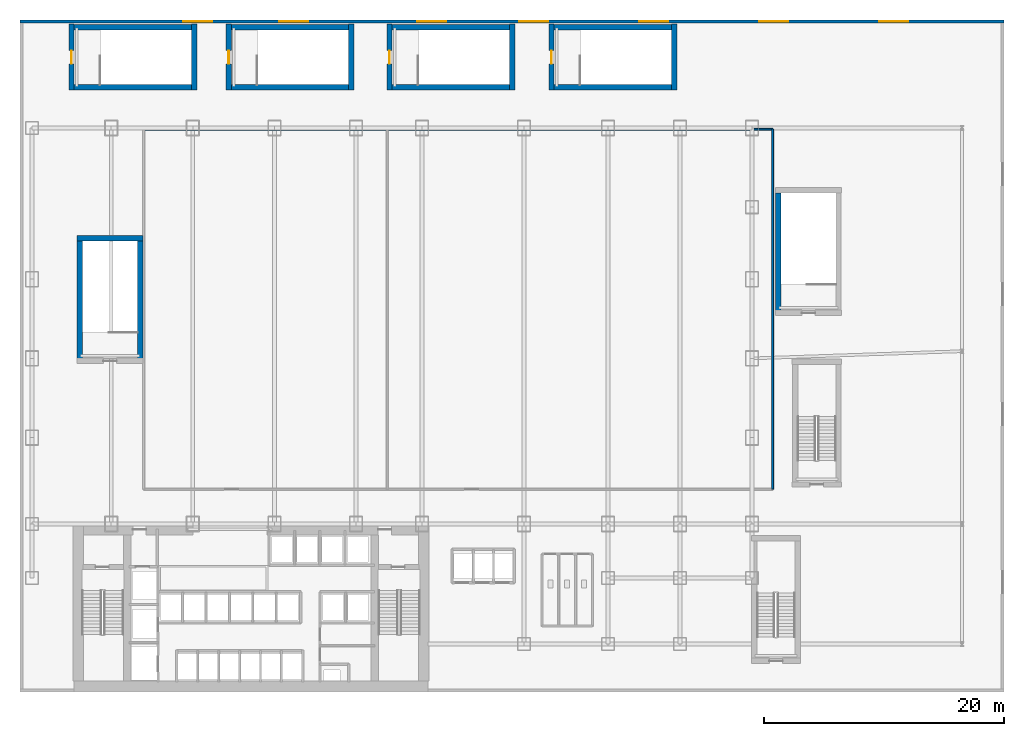
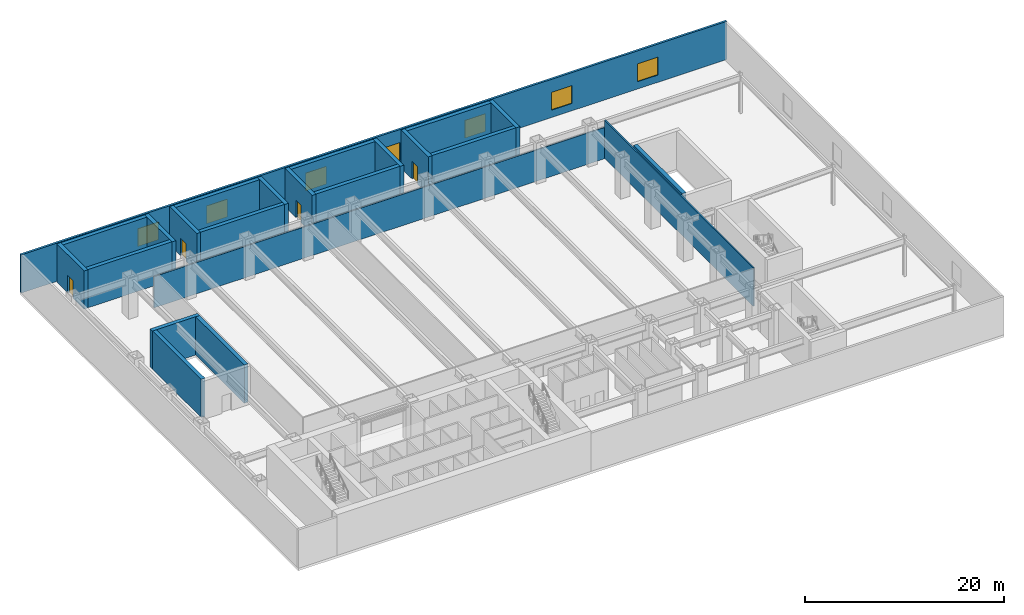
# One storey, part 8 of 14: 23 walls, 7 windows, 4 doors, 11 openings.
"""IFC4 building model written with IfcOpenShell, lengths in metres."""

import ifcopenshell
import ifcopenshell.guid

model = None  # the IFC model being written
_history = None  # IfcOwnerHistory: only IFC2X3 demands one
_inside = {}  # id of a spatial element -> (the spatial element, [elements in it])
_under = {}  # id of a project, library or spatial element -> (it, [spatial elements below it])
_declared = {}  # id of a project -> (the project, [libraries it declares])
_typed = {}  # id of a type object -> (the type object, [elements of that type])
_made_of = {}  # id of a material, layer set ... -> (it, [elements and type objects made of it])


def new_model(schema):
    """Start an empty IFC model of exactly this schema.

    Asked for "IFC4X3", IfcOpenShell would pick the latest addendum, in which some entities
    have other attributes; the version numbers below select the first issue.
    IFC2X3 requires an IfcOwnerHistory on every rooted entity: one is made here for all.
    """
    global model, _history
    if schema == "IFC4X3":
        model = ifcopenshell.file(schema_version=(4, 3, 0, 0))
    else:
        model = ifcopenshell.file(schema=schema)
    _inside.clear()
    _under.clear()
    _declared.clear()
    _typed.clear()
    _made_of.clear()
    _history = None
    if model.schema == "IFC2X3":
        org = make("IfcOrganization", Name="unknown")
        user = make(
            "IfcPersonAndOrganization",
            ThePerson=make("IfcPerson", FamilyName="unknown"),
            TheOrganization=org,
        )
        app = make(
            "IfcApplication",
            ApplicationDeveloper=org,
            Version="unknown",
            ApplicationFullName="unknown",
            ApplicationIdentifier="unknown",
        )
        _history = make(
            "IfcOwnerHistory",
            OwningUser=user,
            OwningApplication=app,
            ChangeAction="ADDED",
            CreationDate=0,
        )
    return model


def make(cls, **values):
    """One entity of the class cls with the attributes given. An attribute that is None is left unset."""
    return model.create_entity(
        cls, **{name: value for name, value in values.items() if value is not None}
    )


def rooted(cls, **values):
    """An entity with a GlobalId (a new one), such as an element, a storey or a relation."""
    return make(cls, GlobalId=ifcopenshell.guid.new(), OwnerHistory=_history, **values)


def si_unit(unit_type, name, prefix=None):
    """IfcSIUnit, for example si_unit("LENGTHUNIT", "METRE", prefix="MILLI")."""
    return make("IfcSIUnit", UnitType=unit_type, Prefix=prefix, Name=name)


def derived_unit(unit_type, elements):
    """IfcDerivedUnit: a product of units, each with its exponent."""
    return make(
        "IfcDerivedUnit",
        Elements=[
            make("IfcDerivedUnitElement", Unit=unit, Exponent=power)
            for unit, power in elements
        ],
        UnitType=unit_type,
    )


def assignment(units):
    """IfcUnitAssignment: the units of a project."""
    return None if units is None else make("IfcUnitAssignment", Units=units)


def point(xyz):
    """IfcCartesianPoint."""
    return None if xyz is None else make("IfcCartesianPoint", Coordinates=xyz)


def direction(xyz):
    """IfcDirection."""
    return None if xyz is None else make("IfcDirection", DirectionRatios=xyz)


def frame(location, z_axis=None, x_axis=None):
    """IfcAxis2Placement3D, a coordinate frame: its origin and axes. An axis left out is left unset."""
    return make(
        "IfcAxis2Placement3D",
        Location=point(location),
        Axis=direction(z_axis),
        RefDirection=direction(x_axis),
    )


def frame_2d(location, x_axis=None):
    """IfcAxis2Placement2D, a coordinate frame in the plane: its origin and x axis."""
    return make(
        "IfcAxis2Placement2D", Location=point(location), RefDirection=direction(x_axis)
    )


def origin():
    """The frame at (0, 0, 0) with its axes left unset."""
    return frame((0.0, 0.0, 0.0))


def place(relative_to, where):
    """IfcLocalPlacement: puts the frame where relative to a parent placement (None: the world)."""
    return make(
        "IfcLocalPlacement", PlacementRelTo=relative_to, RelativePlacement=where
    )


def context(
    kind, dimensions, precision=None, world=None, true_north=None, identifier=None
):
    """IfcGeometricRepresentationContext, for example the 3D "Model" context."""
    return make(
        "IfcGeometricRepresentationContext",
        ContextIdentifier=identifier,
        ContextType=kind,
        CoordinateSpaceDimension=dimensions,
        Precision=precision,
        WorldCoordinateSystem=world,
        TrueNorth=true_north,
    )


def subcontext(parent, identifier, kind, view, scale=None):
    """IfcGeometricRepresentationSubContext, for example "Body" below "Model"."""
    return make(
        "IfcGeometricRepresentationSubContext",
        ContextIdentifier=identifier,
        ContextType=kind,
        ParentContext=parent,
        TargetScale=scale,
        TargetView=view,
    )


def project(units=None, contexts=None):
    """IfcProject with its units and contexts."""
    return rooted(
        "IfcProject",
        Name="project",
        RepresentationContexts=contexts,
        UnitsInContext=assignment(units),
    )


def spatial(cls, under=None, at=None, **own):
    """A site, building, storey or space (cls), placed at a placement, below another one or the project."""
    s = rooted(cls, ObjectPlacement=at, **own)
    if under is not None:
        _under.setdefault(under.id(), (under, []))[1].append(s)
    return s


def profile(cls, at=None, kind="AREA", **sizes):
    """A parametric profile (cls). Its sizes go by their IFC names, for example OverallWidth=200.0."""
    return make(cls, ProfileType=kind, Position=at, **sizes)


def rectangle(**sizes):
    """IfcRectangleProfileDef."""
    return profile("IfcRectangleProfileDef", **sizes)


def extrude(swept, where, along, depth):
    """IfcExtrudedAreaSolid: the profile swept, set in the frame where, extruded along a direction by depth."""
    return make(
        "IfcExtrudedAreaSolid",
        SweptArea=swept,
        Position=where,
        ExtrudedDirection=direction(along),
        Depth=depth,
    )


def shape(context_of_items, identifier, shape_type, items):
    """IfcShapeRepresentation: the items that make up one representation, for example the "Body"."""
    return make(
        "IfcShapeRepresentation",
        ContextOfItems=context_of_items,
        RepresentationIdentifier=identifier,
        RepresentationType=shape_type,
        Items=items,
    )


def source(mapping_origin, context_of_items, identifier, shape_type, items):
    """IfcRepresentationMap: a shape defined once, which mapped items show again and again."""
    return make(
        "IfcRepresentationMap",
        MappingOrigin=mapping_origin,
        MappedRepresentation=shape(context_of_items, identifier, shape_type, items),
    )


def transform(
    local_origin,
    x_axis=None,
    y_axis=None,
    z_axis=None,
    scale=None,
    scale2=None,
    scale3=None,
    uniform=True,
):
    """IfcCartesianTransformationOperator3D, or its non-uniform kind. x_axis, y_axis, z_axis: its Axis1, 2, 3."""
    if uniform:
        return make(
            "IfcCartesianTransformationOperator3D",
            Axis1=direction(x_axis),
            Axis2=direction(y_axis),
            LocalOrigin=point(local_origin),
            Scale=scale,
            Axis3=direction(z_axis),
        )
    return make(
        "IfcCartesianTransformationOperator3DnonUniform",
        Axis1=direction(x_axis),
        Axis2=direction(y_axis),
        LocalOrigin=point(local_origin),
        Scale=scale,
        Axis3=direction(z_axis),
        Scale2=scale2,
        Scale3=scale3,
    )


def mapped(mapping_source, mapping_target):
    """IfcMappedItem: shows the shape of a source again, moved by a transform."""
    return make(
        "IfcMappedItem", MappingSource=mapping_source, MappingTarget=mapping_target
    )


def material(Name=None, Category=None):
    """IfcMaterial."""
    return make("IfcMaterial", Name=Name, Category=Category)


def layer(
    of_material, thickness, ventilated=None, Name=None, Category=None, Priority=None
):
    """IfcMaterialLayer: one layer of a wall or slab, of a material (None: an air gap)."""
    return make(
        "IfcMaterialLayer",
        Material=of_material,
        LayerThickness=thickness,
        IsVentilated=ventilated,
        Name=Name,
        Category=Category,
        Priority=Priority,
    )


def layer_set(layers, Name=None):
    """IfcMaterialLayerSet."""
    return make("IfcMaterialLayerSet", MaterialLayers=layers, LayerSetName=Name)


def made_of(thing, what):
    """Note that an element or type object is made of a material, layer set ...; save() writes the relation."""
    if what is not None:
        _made_of.setdefault(what.id(), (what, []))[1].append(thing)
    return thing


def type_object(cls, material=None, **own):
    """A type object (cls), such as IfcWallType, which elements share."""
    return made_of(rooted(cls, **own), material)


def element(
    cls,
    number,
    at=None,
    inside=None,
    cuts=None,
    type_object=None,
    material=None,
    context=None,
    identifier="Body",
    shape_type=None,
    held_by="IfcProductDefinitionShape",
    body=None,
    shapes=None,
    **own,
):
    """One element of the class cls, such as IfcWall. Its Tag is "e" and its number.

    at: its placement. inside: the storey or other place that contains it. cuts: it is an
    opening in that element (IfcRelVoidsElement). A single representation is given by context,
    identifier, shape_type and body (its items); several are given by shapes. held_by: the class
    of the entity that holds the representations. save() writes the other relations.
    """
    e = rooted(cls, Tag="e%d" % number, ObjectPlacement=at, **own)
    if body is not None:
        shapes = [shape(context, identifier, shape_type, body)]
    if shapes is not None:
        e.Representation = make(held_by, Representations=shapes)
    if inside is not None:
        _inside.setdefault(inside.id(), (inside, []))[1].append(e)
    if cuts is not None:
        rooted(
            "IfcRelVoidsElement", RelatingBuildingElement=cuts, RelatedOpeningElement=e
        )
    if type_object is not None:
        _typed.setdefault(type_object.id(), (type_object, []))[1].append(e)
    return made_of(e, material)


def fill(opening, filler):
    """IfcRelFillsElement: the door or window that sits in an opening."""
    return rooted(
        "IfcRelFillsElement",
        RelatingOpeningElement=opening,
        RelatedBuildingElement=filler,
    )


def aggregate(whole, parts):
    """IfcRelAggregates: a whole, such as a stair, and the parts it consists of."""
    return rooted("IfcRelAggregates", RelatingObject=whole, RelatedObjects=parts)


def save(model, path):
    """Write the relations noted so far, then the file.

    IfcRelAggregates (storeys below a building ...), IfcRelContainedInSpatialStructure (elements
    in a storey), IfcRelDefinesByType, IfcRelAssociatesMaterial and IfcRelDeclares: one each for
    every whole, place, type object, material and project.
    """
    for whole, parts in _under.values():
        aggregate(whole, parts)
    for where, things in _inside.values():
        rooted(
            "IfcRelContainedInSpatialStructure",
            RelatedElements=things,
            RelatingStructure=where,
        )
    for kind, things in _typed.values():
        rooted("IfcRelDefinesByType", RelatedObjects=things, RelatingType=kind)
    for what, things in _made_of.values():
        rooted("IfcRelAssociatesMaterial", RelatedObjects=things, RelatingMaterial=what)
    for by, libraries in _declared.values():
        rooted("IfcRelDeclares", RelatingContext=by, RelatedDefinitions=libraries)
    model.write(path)


model = new_model("IFC4")

# Units and contexts
model_context = context("Model", 3, precision=1e-05, world=origin(), true_north=direction((0.0, 1.0)))
body_context = subcontext(model_context, "Body", "Model", "MODEL_VIEW")
ifc_project = project(units=[si_unit("LENGTHUNIT", "METRE"), si_unit("AREAUNIT", "SQUARE_METRE"), si_unit("VOLUMEUNIT", "CUBIC_METRE"), si_unit("PLANEANGLEUNIT", "RADIAN"), si_unit("MASSUNIT", "GRAM", prefix="KILO"), derived_unit("THERMALTRANSMITTANCEUNIT", [(si_unit("POWERUNIT", "WATT"), 1), (si_unit("LENGTHUNIT", "METRE"), -2), (si_unit("THERMODYNAMICTEMPERATUREUNIT", "KELVIN"), -1)])], contexts=[model_context])

# Site, building, storey
site_placement = place(None, origin())
site = spatial("IfcSite", under=ifc_project, at=site_placement, CompositionType="ELEMENT")
building_placement = place(site_placement, origin())
building = spatial("IfcBuilding", under=site, at=building_placement, Name="Skarnbrae Concourse Arena and Tower", CompositionType="ELEMENT")
storey_placement = place(building_placement, frame((0.0, 0.0, 21.0)))
storey = spatial("IfcBuildingStorey", under=building, at=storey_placement, Name="L04", CompositionType="ELEMENT", Elevation=21.0)

# Wall, openings, windows
ifc_material_1 = material(Name="Precast concrete 40 MPa (C40/50)", Category="concrete")
ifc_layer_1 = layer(ifc_material_1, 0.25)
ifc_layer_set_1 = layer_set([ifc_layer_1], Name="Precast concrete 40 MPa (C40/50)")
wall_type_1 = type_object("IfcWallType", Name="WALL-EXT-SPANDREL-250", PredefinedType="STANDARD", material=ifc_layer_set_1)
shared_shape_1 = source(origin(), body_context, "Body", "SweptSolid", [
    extrude(rectangle(XDim=82.0, YDim=0.25, at=frame_2d((41.0, 0.0))), origin(), (0.0, 0.0, 1.0), 4.699951171875),
])
wall_1_placement = place(storey_placement, frame((82.0, 55.875, 0.0), z_axis=(0.0, 0.0, 1.0), x_axis=(-1.0, 0.0, 0.0)))
wall_1 = element("IfcWall", 1, at=wall_1_placement, inside=storey, type_object=wall_type_1, Name="L04 Podium exterior precast wall N", PredefinedType="STANDARD", context=body_context, shape_type="MappedRepresentation", body=[
    mapped(shared_shape_1, transform((0.0, 0.0, 0.0))),
])
opening_1_placement = place(wall_1_placement, frame((8.0, 0.0, 0.89990234375)))
opening_1 = element("IfcOpeningElement", 2, at=opening_1_placement, cuts=wall_1, Name="Opening WN-02", PredefinedType="OPENING", context=body_context, shape_type="SweptSolid", body=[
    extrude(rectangle(XDim=2.39990234375, YDim=2.199951171875, at=frame_2d((1.199951171875, 1.10009765625))), frame((0.0, 0.135009765625, 0.0), z_axis=(0.0, -1.0, 0.0), x_axis=(1.0, 0.0, 0.0)), (0.0, 0.0, 1.0), 0.27001953125),
])
opening_2_placement = place(wall_1_placement, frame((18.0, 0.0, 0.89990234375)))
opening_2 = element("IfcOpeningElement", 3, at=opening_2_placement, cuts=wall_1, Name="Opening WN-02", PredefinedType="OPENING", context=body_context, shape_type="SweptSolid", body=[
    extrude(rectangle(XDim=2.39990234375, YDim=2.199951171875, at=frame_2d((1.199951171875, 1.10009765625))), frame((0.0, 0.135009765625, 0.0), z_axis=(0.0, -1.0, 0.0), x_axis=(1.0, 0.0, 0.0)), (0.0, 0.0, 1.0), 0.27001953125),
])
opening_3_placement = place(wall_1_placement, frame((28.0, 0.0, 0.89990234375)))
opening_3 = element("IfcOpeningElement", 4, at=opening_3_placement, cuts=wall_1, Name="Opening WN-02", PredefinedType="OPENING", context=body_context, shape_type="SweptSolid", body=[
    extrude(rectangle(XDim=2.39990234375, YDim=2.199951171875, at=frame_2d((1.199951171875, 1.10009765625))), frame((0.0, 0.135009765625, 0.0), z_axis=(0.0, -1.0, 0.0), x_axis=(1.0, 0.0, 0.0)), (0.0, 0.0, 1.0), 0.27001953125),
])
opening_4_placement = place(wall_1_placement, frame((38.0, 0.0, 0.89990234375)))
opening_4 = element("IfcOpeningElement", 5, at=opening_4_placement, cuts=wall_1, Name="Opening WN-02", PredefinedType="OPENING", context=body_context, shape_type="SweptSolid", body=[
    extrude(rectangle(XDim=2.39990234375, YDim=2.199951171875, at=frame_2d((1.199951171875, 1.10009765625))), frame((0.0, 0.135009765625, 0.0), z_axis=(0.0, -1.0, 0.0), x_axis=(1.0, 0.0, 0.0)), (0.0, 0.0, 1.0), 0.27001953125),
])
opening_5_placement = place(wall_1_placement, frame((46.5, 0.0, 0.89990234375)))
opening_5 = element("IfcOpeningElement", 6, at=opening_5_placement, cuts=wall_1, Name="Opening WN-02", PredefinedType="OPENING", context=body_context, shape_type="SweptSolid", body=[
    extrude(rectangle(XDim=2.39990234375, YDim=2.199951171875, at=frame_2d((1.199951171875, 1.10009765625))), frame((0.0, 0.135009765625, 0.0), z_axis=(0.0, -1.0, 0.0), x_axis=(1.0, 0.0, 0.0)), (0.0, 0.0, 1.0), 0.27001953125),
])
opening_6_placement = place(wall_1_placement, frame((58.0, 0.0, 0.89990234375)))
opening_6 = element("IfcOpeningElement", 7, at=opening_6_placement, cuts=wall_1, Name="Opening WN-02", PredefinedType="OPENING", context=body_context, shape_type="SweptSolid", body=[
    extrude(rectangle(XDim=2.39990234375, YDim=2.199951171875, at=frame_2d((1.199951171875, 1.10009765625))), frame((0.0, 0.135009765625, 0.0), z_axis=(0.0, -1.0, 0.0), x_axis=(1.0, 0.0, 0.0)), (0.0, 0.0, 1.0), 0.27001953125),
])
opening_7_placement = place(wall_1_placement, frame((66.0, 0.0, 0.89990234375)))
opening_7 = element("IfcOpeningElement", 8, at=opening_7_placement, cuts=wall_1, Name="Opening WN-02", PredefinedType="OPENING", context=body_context, shape_type="SweptSolid", body=[
    extrude(rectangle(XDim=2.39990234375, YDim=2.199951171875, at=frame_2d((1.199951171875, 1.10009765625))), frame((0.0, 0.135009765625, 0.0), z_axis=(0.0, -1.0, 0.0), x_axis=(1.0, 0.0, 0.0)), (0.0, 0.0, 1.0), 0.27001953125),
])
ifc_material_2 = material(Name="Low-E triple insulating glass", Category="glass")
window_type = type_object("IfcWindowType", Name="WIN-EXT-2400X2200", PartitioningType="SINGLE_PANEL", PredefinedType="WINDOW", material=ifc_material_2)
shared_shape_2 = source(origin(), body_context, "Body", "SweptSolid", [
    extrude(rectangle(XDim=2.39990234375, YDim=2.199951171875, at=frame_2d((1.199951171875, 1.10009765625))), frame((0.0, 0.030029296875, 0.0), z_axis=(0.0, -1.0, 0.0), x_axis=(1.0, 0.0, 0.0)), (0.0, 0.0, 1.0), 0.06005859375),
])
window_1_placement = place(opening_1_placement, origin())
window_1 = element("IfcWindow", 9, at=window_1_placement, inside=storey, type_object=window_type, Name="L04 Broadcast suite window N01", OverallHeight=2.199951171875, OverallWidth=2.39990234375, PartitioningType="SINGLE_PANEL", PredefinedType="WINDOW", context=body_context, shape_type="MappedRepresentation", body=[
    mapped(shared_shape_2, transform((0.0, 0.0, 0.0))),
])
fill(opening_1, window_1)
window_2_placement = place(opening_2_placement, origin())
window_2 = element("IfcWindow", 10, at=window_2_placement, inside=storey, type_object=window_type, Name="L04 Broadcast suite window N02", OverallHeight=2.199951171875, OverallWidth=2.39990234375, PartitioningType="SINGLE_PANEL", PredefinedType="WINDOW", context=body_context, shape_type="MappedRepresentation", body=[
    mapped(shared_shape_2, transform((0.0, 0.0, 0.0))),
])
fill(opening_2, window_2)
window_3_placement = place(opening_3_placement, origin())
window_3 = element("IfcWindow", 11, at=window_3_placement, inside=storey, type_object=window_type, Name="L04 Broadcast suite window N03", OverallHeight=2.199951171875, OverallWidth=2.39990234375, PartitioningType="SINGLE_PANEL", PredefinedType="WINDOW", context=body_context, shape_type="MappedRepresentation", body=[
    mapped(shared_shape_2, transform((0.0, 0.0, 0.0))),
])
fill(opening_3, window_3)
window_4_placement = place(opening_4_placement, origin())
window_4 = element("IfcWindow", 12, at=window_4_placement, inside=storey, type_object=window_type, Name="L04 Broadcast suite window N04", OverallHeight=2.199951171875, OverallWidth=2.39990234375, PartitioningType="SINGLE_PANEL", PredefinedType="WINDOW", context=body_context, shape_type="MappedRepresentation", body=[
    mapped(shared_shape_2, transform((0.0, 0.0, 0.0))),
])
fill(opening_4, window_4)
window_5_placement = place(opening_5_placement, origin())
window_5 = element("IfcWindow", 13, at=window_5_placement, inside=storey, type_object=window_type, Name="L04 Broadcast suite window N05", OverallHeight=2.199951171875, OverallWidth=2.39990234375, PartitioningType="SINGLE_PANEL", PredefinedType="WINDOW", context=body_context, shape_type="MappedRepresentation", body=[
    mapped(shared_shape_2, transform((0.0, 0.0, 0.0))),
])
fill(opening_5, window_5)
window_6_placement = place(opening_6_placement, origin())
window_6 = element("IfcWindow", 14, at=window_6_placement, inside=storey, type_object=window_type, Name="L04 Broadcast suite window N06", OverallHeight=2.199951171875, OverallWidth=2.39990234375, PartitioningType="SINGLE_PANEL", PredefinedType="WINDOW", context=body_context, shape_type="MappedRepresentation", body=[
    mapped(shared_shape_2, transform((0.0, 0.0, 0.0))),
])
fill(opening_6, window_6)
window_7_placement = place(opening_7_placement, origin())
window_7 = element("IfcWindow", 15, at=window_7_placement, inside=storey, type_object=window_type, Name="L04 Broadcast suite window N07", OverallHeight=2.199951171875, OverallWidth=2.39990234375, PartitioningType="SINGLE_PANEL", PredefinedType="WINDOW", context=body_context, shape_type="MappedRepresentation", body=[
    mapped(shared_shape_2, transform((0.0, 0.0, 0.0))),
])
fill(opening_7, window_7)

# Wall
ifc_material_3 = material(Name="Concrete 50 MPa (C50/60)", Category="concrete")
ifc_layer_2 = layer(ifc_material_3, 0.449951171875)
ifc_layer_set_2 = layer_set([ifc_layer_2], Name="Concrete 50 MPa (C50/60)")
wall_type_2 = type_object("IfcWallType", Name="WALL-CORE-450-C50", PredefinedType="SHEAR", material=ifc_layer_set_2)
shared_shape_3 = source(origin(), body_context, "Body", "SweptSolid", [
    extrude(rectangle(XDim=5.5, YDim=0.449951171875, at=frame_2d((2.75, 0.0))), origin(), (0.0, 0.0, 1.0), 4.699951171875),
])
wall_2_placement = place(storey_placement, frame((4.75, 37.804931640625, 0.0), z_axis=(0.0, 0.0, 1.0), x_axis=(1.0, 0.0, 0.0)))
element("IfcWall", 16, at=wall_2_placement, inside=storey, type_object=wall_type_2, Name="L04 Protected stair shaft wall ST-A3-N", PredefinedType="SHEAR", context=body_context, shape_type="MappedRepresentation", body=[
    mapped(shared_shape_3, transform((0.0, 0.0, 0.0))),
])

# Wall, opening, door
wall_3_placement = place(storey_placement, frame((4.294921875, 50.14990234375, 0.0), z_axis=(0.0, 0.0, 1.0), x_axis=(0.0, 1.0, 0.0)))
wall_3 = element("IfcWall", 17, at=wall_3_placement, inside=storey, type_object=wall_type_2, Name="L04 Protected stair shaft wall ST-A5-W", PredefinedType="SHEAR", context=body_context, shape_type="MappedRepresentation", body=[
    mapped(shared_shape_3, transform((0.0, 0.0, 0.0))),
])
opening_8_placement = place(wall_3_placement, frame((2.199951171875, 0.0, 0.0)))
opening_8 = element("IfcOpeningElement", 18, at=opening_8_placement, cuts=wall_3, Name="Opening DT-03", PredefinedType="OPENING", context=body_context, shape_type="SweptSolid", body=[
    extrude(rectangle(XDim=1.10009765625, YDim=2.14990234375, at=frame_2d((0.550048828125, 1.074951171875))), frame((0.0, 0.23486328125, 0.0), z_axis=(0.0, -1.0, 0.0), x_axis=(1.0, 0.0, 0.0)), (0.0, 0.0, 1.0), 0.469970703125),
])
ifc_material_4 = material(Name="Steel CSA G40.21 350W", Category="steel")
door_type = type_object("IfcDoorType", Name="DOOR-FIRE-1100-90M", OperationType="NOTDEFINED", PredefinedType="DOOR", material=ifc_material_4)
shared_shape_4 = source(origin(), body_context, "Body", "SweptSolid", [
    extrude(rectangle(XDim=1.10009765625, YDim=2.14990234375, at=frame_2d((0.550048828125, 1.074951171875))), frame((0.0, 0.02490234375, 0.0), z_axis=(0.0, -1.0, 0.0), x_axis=(1.0, 0.0, 0.0)), (0.0, 0.0, 1.0), 0.050048828125),
])
door_1_placement = place(opening_8_placement, frame((1.10009765625, 0.0, 0.0), z_axis=(0.0, 0.0, 1.0), x_axis=(-1.0, 0.0, 0.0)))
door_1 = element("IfcDoor", 19, at=door_1_placement, inside=storey, type_object=door_type, Name="D-0302 Exit Stair ST-A5 Door", OperationType="SINGLE_SWING_LEFT", OverallHeight=2.14990234375, OverallWidth=1.10009765625, PredefinedType="DOOR", context=body_context, shape_type="MappedRepresentation", body=[
    mapped(shared_shape_4, transform((0.0, 0.0, 0.0))),
])
fill(opening_8, door_1)

# Wall
wall_4_placement = place(storey_placement, frame((14.5048828125, 50.14990234375, 0.0), z_axis=(0.0, 0.0, 1.0), x_axis=(0.0, 1.0, 0.0)))
element("IfcWall", 20, at=wall_4_placement, inside=storey, type_object=wall_type_2, Name="L04 Protected stair shaft wall ST-A5-E", PredefinedType="SHEAR", context=body_context, shape_type="MappedRepresentation", body=[
    mapped(shared_shape_3, transform((0.0, 0.0, 0.0))),
])

# Wall, opening, door
wall_5_placement = place(storey_placement, frame((17.39501953125, 50.14990234375, 0.0), z_axis=(0.0, 0.0, 1.0), x_axis=(0.0, 1.0, 0.0)))
wall_5 = element("IfcWall", 21, at=wall_5_placement, inside=storey, type_object=wall_type_2, Name="L04 Protected stair shaft wall ST-A6-W", PredefinedType="SHEAR", context=body_context, shape_type="MappedRepresentation", body=[
    mapped(shared_shape_3, transform((0.0, 0.0, 0.0))),
])
opening_9_placement = place(wall_5_placement, frame((2.199951171875, 0.0, 0.0)))
opening_9 = element("IfcOpeningElement", 22, at=opening_9_placement, cuts=wall_5, Name="Opening DT-03", PredefinedType="OPENING", context=body_context, shape_type="SweptSolid", body=[
    extrude(rectangle(XDim=1.10009765625, YDim=2.14990234375, at=frame_2d((0.550048828125, 1.074951171875))), frame((0.0, 0.23486328125, 0.0), z_axis=(0.0, -1.0, 0.0), x_axis=(1.0, 0.0, 0.0)), (0.0, 0.0, 1.0), 0.469970703125),
])
door_2_placement = place(opening_9_placement, frame((1.10009765625, 0.0, 0.0), z_axis=(0.0, 0.0, 1.0), x_axis=(-1.0, 0.0, 0.0)))
door_2 = element("IfcDoor", 23, at=door_2_placement, inside=storey, type_object=door_type, Name="D-0303 Exit Stair ST-A6 Door", OperationType="SINGLE_SWING_LEFT", OverallHeight=2.14990234375, OverallWidth=1.10009765625, PredefinedType="DOOR", context=body_context, shape_type="MappedRepresentation", body=[
    mapped(shared_shape_4, transform((0.0, 0.0, 0.0))),
])
fill(opening_9, door_2)

# Wall
wall_6_placement = place(storey_placement, frame((27.60498046875, 50.14990234375, 0.0), z_axis=(0.0, 0.0, 1.0), x_axis=(0.0, 1.0, 0.0)))
element("IfcWall", 24, at=wall_6_placement, inside=storey, type_object=wall_type_2, Name="L04 Protected stair shaft wall ST-A6-E", PredefinedType="SHEAR", context=body_context, shape_type="MappedRepresentation", body=[
    mapped(shared_shape_3, transform((0.0, 0.0, 0.0))),
])

# Wall, opening, door
wall_7_placement = place(storey_placement, frame((30.794921875, 50.14990234375, 0.0), z_axis=(0.0, 0.0, 1.0), x_axis=(0.0, 1.0, 0.0)))
wall_7 = element("IfcWall", 25, at=wall_7_placement, inside=storey, type_object=wall_type_2, Name="L04 Protected stair shaft wall ST-A7-W", PredefinedType="SHEAR", context=body_context, shape_type="MappedRepresentation", body=[
    mapped(shared_shape_3, transform((0.0, 0.0, 0.0))),
])
opening_10_placement = place(wall_7_placement, frame((2.199951171875, 0.0, 0.0)))
opening_10 = element("IfcOpeningElement", 26, at=opening_10_placement, cuts=wall_7, Name="Opening DT-03", PredefinedType="OPENING", context=body_context, shape_type="SweptSolid", body=[
    extrude(rectangle(XDim=1.10009765625, YDim=2.14990234375, at=frame_2d((0.550048828125, 1.074951171875))), frame((0.0, 0.23486328125, 0.0), z_axis=(0.0, -1.0, 0.0), x_axis=(1.0, 0.0, 0.0)), (0.0, 0.0, 1.0), 0.469970703125),
])
door_3_placement = place(opening_10_placement, frame((1.10009765625, 0.0, 0.0), z_axis=(0.0, 0.0, 1.0), x_axis=(-1.0, 0.0, 0.0)))
door_3 = element("IfcDoor", 27, at=door_3_placement, inside=storey, type_object=door_type, Name="D-0304 Exit Stair ST-A7 Door", OperationType="SINGLE_SWING_LEFT", OverallHeight=2.14990234375, OverallWidth=1.10009765625, PredefinedType="DOOR", context=body_context, shape_type="MappedRepresentation", body=[
    mapped(shared_shape_4, transform((0.0, 0.0, 0.0))),
])
fill(opening_10, door_3)

# Wall
wall_8_placement = place(storey_placement, frame((41.0048828125, 50.14990234375, 0.0), z_axis=(0.0, 0.0, 1.0), x_axis=(0.0, 1.0, 0.0)))
element("IfcWall", 28, at=wall_8_placement, inside=storey, type_object=wall_type_2, Name="L04 Protected stair shaft wall ST-A7-E", PredefinedType="SHEAR", context=body_context, shape_type="MappedRepresentation", body=[
    mapped(shared_shape_3, transform((0.0, 0.0, 0.0))),
])

# Wall, opening, door
wall_9_placement = place(storey_placement, frame((44.294921875, 50.14990234375, 0.0), z_axis=(0.0, 0.0, 1.0), x_axis=(0.0, 1.0, 0.0)))
wall_9 = element("IfcWall", 29, at=wall_9_placement, inside=storey, type_object=wall_type_2, Name="L04 Protected stair shaft wall ST-A8-W", PredefinedType="SHEAR", context=body_context, shape_type="MappedRepresentation", body=[
    mapped(shared_shape_3, transform((0.0, 0.0, 0.0))),
])
opening_11_placement = place(wall_9_placement, frame((2.199951171875, 0.0, 0.0)))
opening_11 = element("IfcOpeningElement", 30, at=opening_11_placement, cuts=wall_9, Name="Opening DT-03", PredefinedType="OPENING", context=body_context, shape_type="SweptSolid", body=[
    extrude(rectangle(XDim=1.10009765625, YDim=2.14990234375, at=frame_2d((0.550048828125, 1.074951171875))), frame((0.0, 0.23486328125, 0.0), z_axis=(0.0, -1.0, 0.0), x_axis=(1.0, 0.0, 0.0)), (0.0, 0.0, 1.0), 0.469970703125),
])
door_4_placement = place(opening_11_placement, frame((1.10009765625, 0.0, 0.0), z_axis=(0.0, 0.0, 1.0), x_axis=(-1.0, 0.0, 0.0)))
door_4 = element("IfcDoor", 31, at=door_4_placement, inside=storey, type_object=door_type, Name="D-0305 Exit Stair ST-A8 Door", OperationType="SINGLE_SWING_LEFT", OverallHeight=2.14990234375, OverallWidth=1.10009765625, PredefinedType="DOOR", context=body_context, shape_type="MappedRepresentation", body=[
    mapped(shared_shape_4, transform((0.0, 0.0, 0.0))),
])
fill(opening_11, door_4)

# Walls
wall_10_placement = place(storey_placement, frame((54.5048828125, 50.14990234375, 0.0), z_axis=(0.0, 0.0, 1.0), x_axis=(0.0, 1.0, 0.0)))
element("IfcWall", 32, at=wall_10_placement, inside=storey, type_object=wall_type_2, Name="L04 Protected stair shaft wall ST-A8-E", PredefinedType="SHEAR", context=body_context, shape_type="MappedRepresentation", body=[
    mapped(shared_shape_3, transform((0.0, 0.0, 0.0))),
])
shared_shape_5 = source(origin(), body_context, "Body", "SweptSolid", [
    extrude(rectangle(XDim=9.800048828125, YDim=0.449951171875, at=frame_2d((4.89990234375, 0.0))), origin(), (0.0, 0.0, 1.0), 4.699951171875),
])
for number, where, z_axis, x_axis, name in (
    (33, (4.9951171875, 27.800048828125, 0.0), (0.0, 0.0, 1.0), (0.0, 1.0, 0.0), "L04 Protected stair shaft wall ST-A3-W"),
    (34, (10.0048828125, 27.800048828125, 0.0), (0.0, 0.0, 1.0), (0.0, 1.0, 0.0), "L04 Protected stair shaft wall ST-A3-E"),
    (35, (63.195068359375, 31.800048828125, 0.0), (0.0, 0.0, 1.0), (0.0, 1.0, 0.0), "L04 Protected stair shaft wall ST-A4-W"),
    (36, (4.5, 50.39501953125, 0.0), (0.0, 0.0, 1.0), (1.0, 0.0, 0.0), "L04 Protected stair shaft wall ST-A5-S"),
    (37, (4.5, 55.405029296875, 0.0), (0.0, 0.0, 1.0), (1.0, 0.0, 0.0), "L04 Protected stair shaft wall ST-A5-N"),
    (38, (31.0, 50.39501953125, 0.0), (0.0, 0.0, 1.0), (1.0, 0.0, 0.0), "L04 Protected stair shaft wall ST-A7-S"),
    (39, (31.0, 55.405029296875, 0.0), (0.0, 0.0, 1.0), (1.0, 0.0, 0.0), "L04 Protected stair shaft wall ST-A7-N"),
    (40, (44.5, 50.39501953125, 0.0), (0.0, 0.0, 1.0), (1.0, 0.0, 0.0), "L04 Protected stair shaft wall ST-A8-S"),
    (41, (44.5, 55.405029296875, 0.0), (0.0, 0.0, 1.0), (1.0, 0.0, 0.0), "L04 Protected stair shaft wall ST-A8-N"),
):
    element("IfcWall", number, at=place(storey_placement, frame(where, z_axis=z_axis, x_axis=x_axis)), inside=storey, type_object=wall_type_2, Name=name, PredefinedType="SHEAR", context=body_context, shape_type="MappedRepresentation", body=[
        mapped(shared_shape_5, transform((0.0, 0.0, 0.0))),
    ])
shared_shape_6 = source(origin(), body_context, "Body", "SweptSolid", [
    extrude(rectangle(XDim=9.7998046875, YDim=0.449951171875, at=frame_2d((4.89990234375, 0.0))), origin(), (0.0, 0.0, 1.0), 4.699951171875),
])
for number, where, z_axis, x_axis, name in (
    (42, (17.60009765625, 50.39501953125, 0.0), (0.0, 0.0, 1.0), (1.0, 0.0, 0.0), "L04 Protected stair shaft wall ST-A6-S"),
    (43, (17.60009765625, 55.405029296875, 0.0), (0.0, 0.0, 1.0), (1.0, 0.0, 0.0), "L04 Protected stair shaft wall ST-A6-N"),
):
    element("IfcWall", number, at=place(storey_placement, frame(where, z_axis=z_axis, x_axis=x_axis)), inside=storey, type_object=wall_type_2, Name=name, PredefinedType="SHEAR", context=body_context, shape_type="MappedRepresentation", body=[
        mapped(shared_shape_6, transform((0.0, 0.0, 0.0))),
    ])
ifc_material_5 = material(Name="Gypsum board on cold-formed steel studs", Category="steel")
ifc_layer_3 = layer(ifc_material_5, 0.14990234375)
ifc_layer_set_3 = layer_set([ifc_layer_3], Name="Gypsum board on cold-formed steel studs")
wall_type_3 = type_object("IfcWallType", Name="WALL-PART-150-1HR", PredefinedType="PARTITIONING", material=ifc_layer_set_3)
shared_shape_7 = source(origin(), body_context, "Body", "SweptSolid", [
    extrude(rectangle(XDim=52.419921875, YDim=0.14990234375, at=frame_2d((26.2099609375, 0.0))), origin(), (0.0, 0.0, 1.0), 3.843994140625),
])
wall_11_placement = place(storey_placement, frame((10.300048828125, 46.89990234375, 0.0), z_axis=(0.0, 0.0, 1.0), x_axis=(1.0, 0.0, 0.0)))
element("IfcWall", 44, at=wall_11_placement, inside=storey, type_object=wall_type_3, Name="L04 Interior partition wall W-L04-CN", PredefinedType="PARTITIONING", context=body_context, shape_type="MappedRepresentation", body=[
    mapped(shared_shape_7, transform((0.0, 0.0, 0.0))),
])
shared_shape_8 = source(origin(), body_context, "Body", "SweptSolid", [
    extrude(rectangle(XDim=30.0, YDim=0.14990234375, at=frame_2d((15.0, 0.0))), origin(), (0.0, 0.0, 1.0), 4.699951171875),
])
wall_12_placement = place(storey_placement, frame((62.719970703125, 16.89990234375, 0.0), z_axis=(0.0, 0.0, 1.0), x_axis=(0.0, 1.0, 0.0)))
element("IfcWall", 45, at=wall_12_placement, inside=storey, type_object=wall_type_3, Name="L04 Interior partition wall W-L04-CE", PredefinedType="PARTITIONING", context=body_context, shape_type="MappedRepresentation", body=[
    mapped(shared_shape_8, transform((0.0, 0.0, 0.0))),
])

save(model, "model.ifc")
